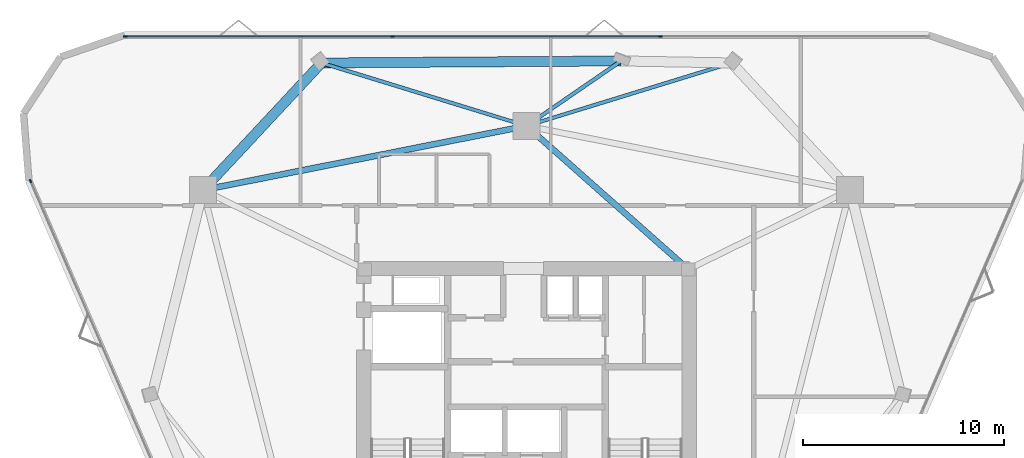
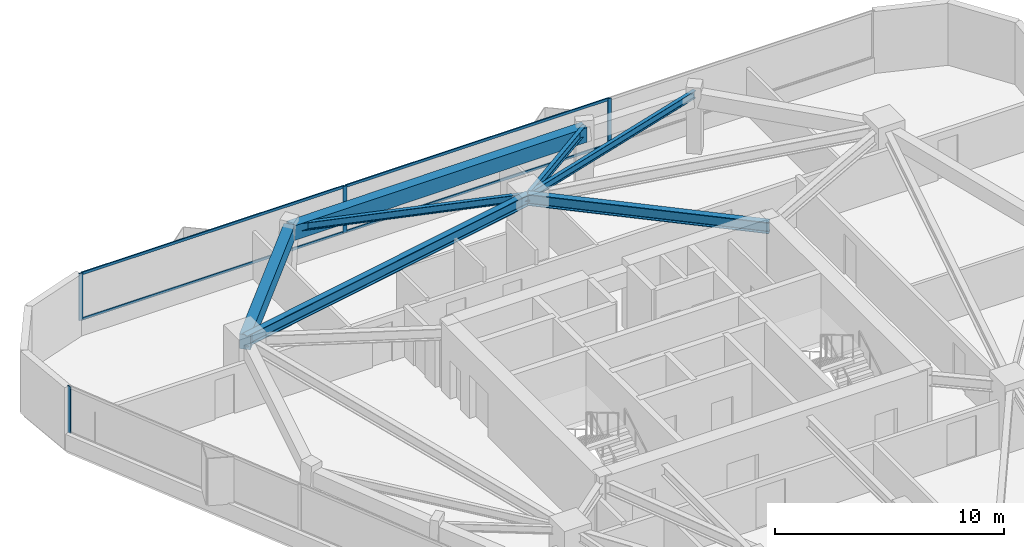
# One storey, part 7 of 12: 8 members, 7 beams, 2 elements without a shape of their own.
"""IFC4 building model written with IfcOpenShell, lengths in metres."""

from ifc_helpers import new_model, si_unit, direction, frame, origin, origin_2d, place, context, subcontext, project, spatial, rectangle, i_section, extrude, material, layer, layer_set, material_profile, profile_set, type_object, element, aggregate, save


model = new_model("IFC4")

# Units and contexts
model_context = context("Model", 3, precision=1e-05, world=origin(), true_north=direction((0.0, 1.0)))
body_context = subcontext(model_context, "Body", "Model", "MODEL_VIEW")
ifc_project = project(units=[si_unit("LENGTHUNIT", "METRE"), si_unit("AREAUNIT", "SQUARE_METRE"), si_unit("VOLUMEUNIT", "CUBIC_METRE"), si_unit("PLANEANGLEUNIT", "RADIAN"), si_unit("MASSUNIT", "GRAM", prefix="KILO")], contexts=[model_context])

# Site, building, storey
site_placement = place(None, origin())
site = spatial("IfcSite", under=ifc_project, at=site_placement, CompositionType="ELEMENT")
building_placement = place(site_placement, origin())
building = spatial("IfcBuilding", under=site, at=building_placement, Name="Talyreon Biosciences Tower", CompositionType="ELEMENT")
storey_placement = place(building_placement, frame((0.0, 0.0, 219.550048828125)))
storey = spatial("IfcBuildingStorey", under=building, at=storey_placement, Name="L58", CompositionType="ELEMENT", Elevation=219.550048828125)

# Curtain wall, member
ifc_material_1 = material(Name="Thermally broken aluminium and low-E glazing", Category="aluminium")
ifc_layer = layer(ifc_material_1, 0.179931640625)
ifc_layer_set = layer_set([ifc_layer], Name="Thermally broken aluminium and low-E glazing")
curtain_wall_type = type_object("IfcCurtainWallType", Name="CurtainWall_Zone4Optical", PredefinedType="NOTDEFINED", material=ifc_layer_set)
curtain_wall_1_placement = place(storey_placement, origin())
curtain_wall_1 = element("IfcCurtainWall", 1, at=curtain_wall_1_placement, inside=storey, type_object=curtain_wall_type, Name="L58 Unitised Curtain Wall FCW-L58-00", PredefinedType="NOTDEFINED")
ifc_material_2 = material(Name="Anodised thermally broken aluminium", Category="aluminium")
ifc_material_profile_1 = material_profile(ifc_material_2, rectangle(XDim=0.06494140625, YDim=0.179931640625, at=origin_2d()), Name="ALUM MULLION 65x180")
ifc_profile_set_1 = profile_set([ifc_material_profile_1], Name="Anodised thermally broken aluminium")
member_type_1 = type_object("IfcMemberType", Name="CWMullion_65x180", PredefinedType="MULLION", material=ifc_profile_set_1)
member_1_placement = place(storey_placement, frame((41.316650390625, 79.048828125, 0.81005859375), z_axis=(0.0, 0.0, 1.0), x_axis=(-0.917221993355, -0.398376473835, 0.0)))
member_1 = element("IfcMember", 2, at=member_1_placement, type_object=member_type_1, Name="CW5 mullion 5", PredefinedType="MULLION", context=body_context, shape_type="SweptSolid", body=[
    extrude(rectangle(XDim=0.06494140625, YDim=0.179931640625, at=origin_2d()), origin(), (0.0, 0.0, 1.0), 2.489990234375),
])
aggregate(curtain_wall_1, [member_1])

# Curtain wall, members
curtain_wall_2_placement = place(storey_placement, origin())
curtain_wall_2 = element("IfcCurtainWall", 3, at=curtain_wall_2_placement, inside=storey, type_object=curtain_wall_type, Name="L58 Unitised Curtain Wall FCW-L58-04", PredefinedType="NOTDEFINED")
member_2_placement = place(storey_placement, frame((46.032470703125, 86.23828125, 0.81005859375), z_axis=(0.0, 0.0, 1.0), x_axis=(0.0, 1.0, 0.0)))
member_2 = element("IfcMember", 4, at=member_2_placement, type_object=member_type_1, Name="CW5 mullion 1", PredefinedType="MULLION", context=body_context, shape_type="SweptSolid", body=[
    extrude(rectangle(XDim=0.06494140625, YDim=0.179931640625, at=origin_2d()), origin(), (0.0, 0.0, 1.0), 2.489990234375),
])
member_3_placement = place(storey_placement, frame((59.333251953125, 86.23828125, 0.81005859375), z_axis=(0.0, 0.0, 1.0), x_axis=(0.0, 1.0, 0.0)))
member_3 = element("IfcMember", 5, at=member_3_placement, type_object=member_type_1, Name="CW5 mullion 2", PredefinedType="MULLION", context=body_context, shape_type="SweptSolid", body=[
    extrude(rectangle(XDim=0.06494140625, YDim=0.179931640625, at=origin_2d()), origin(), (0.0, 0.0, 1.0), 2.489990234375),
])
member_4_placement = place(storey_placement, frame((72.666748046875, 86.23828125, 0.81005859375), z_axis=(0.0, 0.0, 1.0), x_axis=(0.0, 1.0, 0.0)))
member_4 = element("IfcMember", 6, at=member_4_placement, type_object=member_type_1, Name="CW5 mullion 3", PredefinedType="MULLION", context=body_context, shape_type="SweptSolid", body=[
    extrude(rectangle(XDim=0.06494140625, YDim=0.179931640625, at=origin_2d()), origin(), (0.0, 0.0, 1.0), 2.489990234375),
])
ifc_material_profile_2 = material_profile(ifc_material_2, rectangle(XDim=0.06494140625, YDim=0.139892578125, at=origin_2d()), Name="ALUM TRANSOM 65x140")
ifc_profile_set_2 = profile_set([ifc_material_profile_2], Name="Anodised thermally broken aluminium")
member_type_2 = type_object("IfcMemberType", Name="CWTransom_65x140", PredefinedType="USERDEFINED", material=ifc_profile_set_2)
member_5_placement = place(storey_placement, frame((46.06494140625, 86.23828125, 0.842529296875), z_axis=(1.0, 0.0, 0.0), x_axis=(0.0, 1.0, 0.0)))
member_5 = element("IfcMember", 7, at=member_5_placement, type_object=member_type_2, Name="CW5 transom 1.1", ObjectType="TRANSOM", PredefinedType="USERDEFINED", context=body_context, shape_type="SweptSolid", body=[
    extrude(rectangle(XDim=0.06494140625, YDim=0.139892578125, at=origin_2d()), origin(), (0.0, 0.0, 1.0), 13.23583984375),
])
member_6_placement = place(storey_placement, frame((46.06494140625, 86.23828125, 3.267333984375), z_axis=(1.0, 0.0, 0.0), x_axis=(0.0, 1.0, 0.0)))
member_6 = element("IfcMember", 8, at=member_6_placement, type_object=member_type_2, Name="CW5 transom 1.2", ObjectType="TRANSOM", PredefinedType="USERDEFINED", context=body_context, shape_type="SweptSolid", body=[
    extrude(rectangle(XDim=0.06494140625, YDim=0.139892578125, at=origin_2d()), origin(), (0.0, 0.0, 1.0), 13.23583984375),
])
member_7_placement = place(storey_placement, frame((59.36572265625, 86.23828125, 0.842529296875), z_axis=(1.0, 0.0, 0.0), x_axis=(0.0, 1.0, 0.0)))
member_7 = element("IfcMember", 9, at=member_7_placement, type_object=member_type_2, Name="CW5 transom 2.1", ObjectType="TRANSOM", PredefinedType="USERDEFINED", context=body_context, shape_type="SweptSolid", body=[
    extrude(rectangle(XDim=0.06494140625, YDim=0.139892578125, at=origin_2d()), origin(), (0.0, 0.0, 1.0), 13.2685546875),
])
member_8_placement = place(storey_placement, frame((59.36572265625, 86.23828125, 3.267333984375), z_axis=(1.0, 0.0, 0.0), x_axis=(0.0, 1.0, 0.0)))
member_8 = element("IfcMember", 10, at=member_8_placement, type_object=member_type_2, Name="CW5 transom 2.2", ObjectType="TRANSOM", PredefinedType="USERDEFINED", context=body_context, shape_type="SweptSolid", body=[
    extrude(rectangle(XDim=0.06494140625, YDim=0.139892578125, at=origin_2d()), origin(), (0.0, 0.0, 1.0), 13.2685546875),
])
aggregate(curtain_wall_2, [member_2, member_3, member_4, member_5, member_6, member_7, member_8])

# Beams
ifc_material_3 = material(Name="Precast concrete C45/55", Category="concrete")
ifc_material_profile_3 = material_profile(ifc_material_3, rectangle(XDim=0.5, YDim=0.780029296875, at=origin_2d()), Name="RCB 500x780")
ifc_profile_set_3 = profile_set([ifc_material_profile_3], Name="Precast concrete C45/55")
beam_type_1 = type_object("IfcBeamType", Name="ExpressedSpandrel_500x780", PredefinedType="SPANDREL", material=ifc_profile_set_3)
beam_1_placement = place(storey_placement, frame((70.70947265625, 85.023681640625, 2.909912109375), z_axis=(-0.999977586037, -0.006695328434, 0.0), x_axis=(0.006695328434, -0.999977586037, 0.0)))
element("IfcBeam", 11, at=beam_1_placement, inside=storey, type_object=beam_type_1, Name="L58 Expressed Horizontal Concrete Spandrel 07", PredefinedType="SPANDREL", context=body_context, shape_type="SweptSolid", body=[
    extrude(rectangle(XDim=0.5, YDim=0.780029296875, at=origin_2d()), origin(), (0.0, 0.0, 1.0), 14.913818359375),
])
beam_2_placement = place(storey_placement, frame((55.7958984375, 84.923828125, 2.909912109375), z_axis=(-0.681989287639, -0.731362161685, 0.0), x_axis=(0.731362161685, -0.681989287639, 0.0)))
element("IfcBeam", 12, at=beam_2_placement, inside=storey, type_object=beam_type_1, Name="L58 Expressed Horizontal Concrete Spandrel 08", PredefinedType="SPANDREL", context=body_context, shape_type="SweptSolid", body=[
    extrude(rectangle(XDim=0.5, YDim=0.780029296875, at=origin_2d()), origin(), (0.0, 0.0, 1.0), 8.6484375),
])
ifc_material_4 = material(Name="Steel SM355", Category="steel")
ifc_material_profile_4 = material_profile(ifc_material_4, i_section(OverallWidth=0.300048828125, OverallDepth=0.60009765625, WebThickness=0.015380859375, FlangeThickness=0.030029296875, FilletRadius=0.027099609375, at=origin_2d()), Name="HE600B")
ifc_profile_set_4 = profile_set([ifc_material_profile_4], Name="Steel SM355")
beam_type_2 = type_object("IfcBeamType", Name="SteelBeam_HE600B", PredefinedType="BEAM", material=ifc_profile_set_4)
beam_3_placement = place(storey_placement, frame((66.0, 81.788818359375, 3.0), z_axis=(-0.980933730698, -0.194342522311, 0.0), x_axis=(0.194342522311, -0.980933730698, 0.0)))
element("IfcBeam", 13, at=beam_3_placement, inside=storey, type_object=beam_type_2, Name="L58 Mega-Ring Girder 4", PredefinedType="BEAM", context=body_context, shape_type="SweptSolid", body=[
    extrude(i_section(OverallWidth=0.300048828125, OverallDepth=0.60009765625, WebThickness=0.015380859375, FlangeThickness=0.030029296875, FilletRadius=0.027099609375, at=origin_2d()), origin(), (0.0, 0.0, 1.0), 16.415283203125),
])
beam_4_placement = place(storey_placement, frame((74.050048828125, 74.64990234375, 3.0), z_axis=(-0.748178733955, 0.663497235908, 0.0), x_axis=(-0.663497235908, -0.748178733955, 0.0)))
element("IfcBeam", 14, at=beam_4_placement, inside=storey, type_object=beam_type_2, Name="L58 Radial Primary Girder 4", PredefinedType="BEAM", context=body_context, shape_type="SweptSolid", body=[
    extrude(i_section(OverallWidth=0.300048828125, OverallDepth=0.60009765625, WebThickness=0.015380859375, FlangeThickness=0.030029296875, FilletRadius=0.027099609375, at=origin_2d()), origin(), (0.0, 0.0, 1.0), 10.759521484375),
])
ifc_material_profile_5 = material_profile(ifc_material_4, i_section(OverallWidth=0.179931640625, OverallDepth=0.39990234375, WebThickness=0.008544921875, FlangeThickness=0.013427734375, FilletRadius=0.02099609375, at=origin_2d()), Name="IPE400")
ifc_profile_set_5 = profile_set([ifc_material_profile_5], Name="Steel SM355")
beam_type_3 = type_object("IfcBeamType", Name="SteelJoist_IPE400", PredefinedType="JOIST", material=ifc_profile_set_5)
for number, where, z_axis, x_axis, name in (
    (15, (66.0, 81.788818359375, 3.099853515625), (0.955903043408, 0.293682433257, 0.0), (-0.293682433257, 0.955903043408, 0.0), "L58 Radial Composite Floor Joist PC-N1"),
    (16, (66.0, 81.788818359375, 3.099853515625), (-0.955903043408, 0.293682433257, 0.0), (-0.293682433257, -0.955903043408, 0.0), "L58 Radial Composite Floor Joist PC-N2"),
):
    element("IfcBeam", number, at=place(storey_placement, frame(where, z_axis=z_axis, x_axis=x_axis)), inside=storey, type_object=beam_type_3, Name=name, PredefinedType="JOIST", context=body_context, shape_type="SweptSolid", body=[
        extrude(i_section(OverallWidth=0.179931640625, OverallDepth=0.39990234375, WebThickness=0.008544921875, FlangeThickness=0.013427734375, FilletRadius=0.02099609375, at=origin_2d()), origin(), (0.0, 0.0, 1.0), 10.6748046875),
    ])
ifc_material_profile_6 = material_profile(ifc_material_4, i_section(OverallWidth=0.18994140625, OverallDepth=0.449951171875, WebThickness=0.009521484375, FlangeThickness=0.0146484375, FilletRadius=0.02099609375, at=origin_2d()), Name="IPE450")
ifc_profile_set_6 = profile_set([ifc_material_profile_6], Name="Steel SM355")
beam_type_4 = type_object("IfcBeamType", Name="SteelJoist_IPE450", PredefinedType="JOIST", material=ifc_profile_set_6)
beam_5_placement = place(storey_placement, frame((66.0, 81.788818359375, 3.074951171875), z_axis=(0.824278742204, 0.566184206024, 0.0), x_axis=(-0.566184206024, 0.824278742204, 0.0)))
element("IfcBeam", 17, at=beam_5_placement, inside=storey, type_object=beam_type_4, Name="L58 Radial Composite Floor Joist PL-N", PredefinedType="JOIST", context=body_context, shape_type="SweptSolid", body=[
    extrude(i_section(OverallWidth=0.18994140625, OverallDepth=0.449951171875, WebThickness=0.009521484375, FlangeThickness=0.0146484375, FilletRadius=0.02099609375, at=origin_2d()), origin(), (0.0, 0.0, 1.0), 5.71337890625),
])

save(model, "model.ifc")
